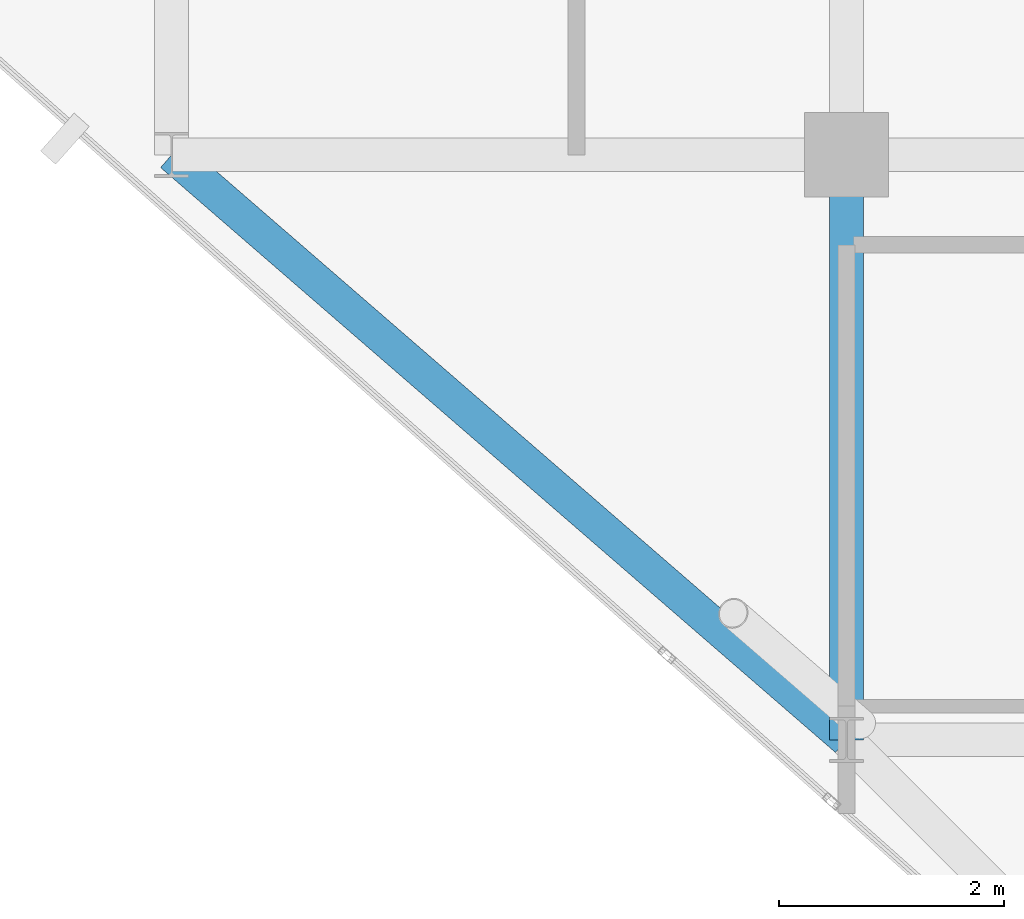
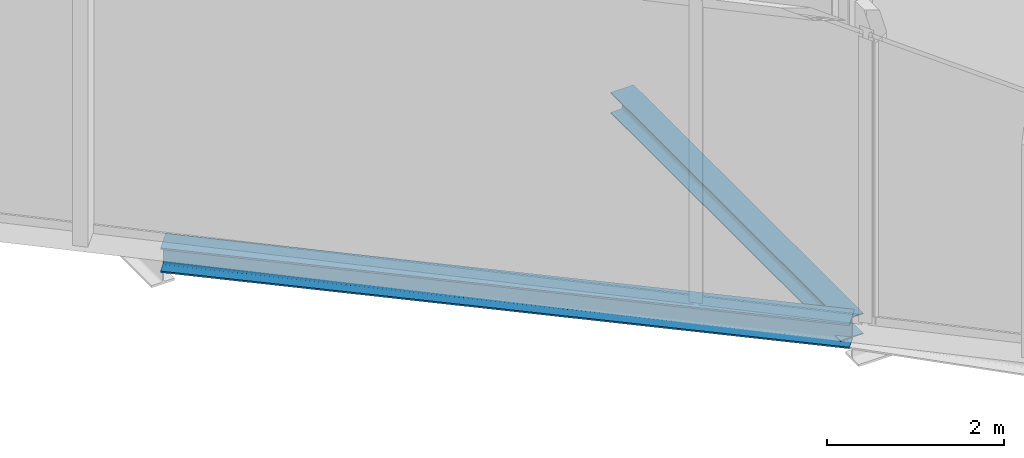
# One storey, part 4 of 24: 2 beams.
"""IFC4 building model written with IfcOpenShell, lengths in metres."""

import ifcopenshell
import ifcopenshell.guid

model = None  # the IFC model being written
_history = None  # IfcOwnerHistory: only IFC2X3 demands one
_inside = {}  # id of a spatial element -> (the spatial element, [elements in it])
_under = {}  # id of a project, library or spatial element -> (it, [spatial elements below it])
_declared = {}  # id of a project -> (the project, [libraries it declares])
_typed = {}  # id of a type object -> (the type object, [elements of that type])
_made_of = {}  # id of a material, layer set ... -> (it, [elements and type objects made of it])


def new_model(schema):
    """Start an empty IFC model of exactly this schema.

    Asked for "IFC4X3", IfcOpenShell would pick the latest addendum, in which some entities
    have other attributes; the version numbers below select the first issue.
    IFC2X3 requires an IfcOwnerHistory on every rooted entity: one is made here for all.
    """
    global model, _history
    if schema == "IFC4X3":
        model = ifcopenshell.file(schema_version=(4, 3, 0, 0))
    else:
        model = ifcopenshell.file(schema=schema)
    _inside.clear()
    _under.clear()
    _declared.clear()
    _typed.clear()
    _made_of.clear()
    _history = None
    if model.schema == "IFC2X3":
        org = make("IfcOrganization", Name="unknown")
        user = make(
            "IfcPersonAndOrganization",
            ThePerson=make("IfcPerson", FamilyName="unknown"),
            TheOrganization=org,
        )
        app = make(
            "IfcApplication",
            ApplicationDeveloper=org,
            Version="unknown",
            ApplicationFullName="unknown",
            ApplicationIdentifier="unknown",
        )
        _history = make(
            "IfcOwnerHistory",
            OwningUser=user,
            OwningApplication=app,
            ChangeAction="ADDED",
            CreationDate=0,
        )
    return model


def make(cls, **values):
    """One entity of the class cls with the attributes given. An attribute that is None is left unset."""
    return model.create_entity(
        cls, **{name: value for name, value in values.items() if value is not None}
    )


def rooted(cls, **values):
    """An entity with a GlobalId (a new one), such as an element, a storey or a relation."""
    return make(cls, GlobalId=ifcopenshell.guid.new(), OwnerHistory=_history, **values)


def si_unit(unit_type, name, prefix=None):
    """IfcSIUnit, for example si_unit("LENGTHUNIT", "METRE", prefix="MILLI")."""
    return make("IfcSIUnit", UnitType=unit_type, Prefix=prefix, Name=name)


def assignment(units):
    """IfcUnitAssignment: the units of a project."""
    return None if units is None else make("IfcUnitAssignment", Units=units)


def point(xyz):
    """IfcCartesianPoint."""
    return None if xyz is None else make("IfcCartesianPoint", Coordinates=xyz)


def direction(xyz):
    """IfcDirection."""
    return None if xyz is None else make("IfcDirection", DirectionRatios=xyz)


def frame(location, z_axis=None, x_axis=None):
    """IfcAxis2Placement3D, a coordinate frame: its origin and axes. An axis left out is left unset."""
    return make(
        "IfcAxis2Placement3D",
        Location=point(location),
        Axis=direction(z_axis),
        RefDirection=direction(x_axis),
    )


def frame_2d(location, x_axis=None):
    """IfcAxis2Placement2D, a coordinate frame in the plane: its origin and x axis."""
    return make(
        "IfcAxis2Placement2D", Location=point(location), RefDirection=direction(x_axis)
    )


def origin():
    """The frame at (0, 0, 0) with its axes left unset."""
    return frame((0.0, 0.0, 0.0))


def origin_2d():
    """The frame at (0, 0) in the plane with its x axis left unset."""
    return frame_2d((0.0, 0.0))


def place(relative_to, where):
    """IfcLocalPlacement: puts the frame where relative to a parent placement (None: the world)."""
    return make(
        "IfcLocalPlacement", PlacementRelTo=relative_to, RelativePlacement=where
    )


def context(
    kind, dimensions, precision=None, world=None, true_north=None, identifier=None
):
    """IfcGeometricRepresentationContext, for example the 3D "Model" context."""
    return make(
        "IfcGeometricRepresentationContext",
        ContextIdentifier=identifier,
        ContextType=kind,
        CoordinateSpaceDimension=dimensions,
        Precision=precision,
        WorldCoordinateSystem=world,
        TrueNorth=true_north,
    )


def subcontext(parent, identifier, kind, view, scale=None):
    """IfcGeometricRepresentationSubContext, for example "Body" below "Model"."""
    return make(
        "IfcGeometricRepresentationSubContext",
        ContextIdentifier=identifier,
        ContextType=kind,
        ParentContext=parent,
        TargetScale=scale,
        TargetView=view,
    )


def project(units=None, contexts=None):
    """IfcProject with its units and contexts."""
    return rooted(
        "IfcProject",
        Name="project",
        RepresentationContexts=contexts,
        UnitsInContext=assignment(units),
    )


def spatial(cls, under=None, at=None, **own):
    """A site, building, storey or space (cls), placed at a placement, below another one or the project."""
    s = rooted(cls, ObjectPlacement=at, **own)
    if under is not None:
        _under.setdefault(under.id(), (under, []))[1].append(s)
    return s


def profile(cls, at=None, kind="AREA", **sizes):
    """A parametric profile (cls). Its sizes go by their IFC names, for example OverallWidth=200.0."""
    return make(cls, ProfileType=kind, Position=at, **sizes)


def i_section(**sizes):
    """IfcIShapeProfileDef."""
    return profile("IfcIShapeProfileDef", **sizes)


def extrude(swept, where, along, depth):
    """IfcExtrudedAreaSolid: the profile swept, set in the frame where, extruded along a direction by depth."""
    return make(
        "IfcExtrudedAreaSolid",
        SweptArea=swept,
        Position=where,
        ExtrudedDirection=direction(along),
        Depth=depth,
    )


def shape(context_of_items, identifier, shape_type, items):
    """IfcShapeRepresentation: the items that make up one representation, for example the "Body"."""
    return make(
        "IfcShapeRepresentation",
        ContextOfItems=context_of_items,
        RepresentationIdentifier=identifier,
        RepresentationType=shape_type,
        Items=items,
    )


def material(Name=None, Category=None):
    """IfcMaterial."""
    return make("IfcMaterial", Name=Name, Category=Category)


def material_profile(
    of_material, cross_section, Name=None, Category=None, Priority=None
):
    """IfcMaterialProfile: a cross section and its material."""
    return make(
        "IfcMaterialProfile",
        Name=Name,
        Material=of_material,
        Profile=cross_section,
        Priority=Priority,
        Category=Category,
    )


def profile_set(profiles, Name=None, composite=None):
    """IfcMaterialProfileSet."""
    return make(
        "IfcMaterialProfileSet",
        Name=Name,
        MaterialProfiles=profiles,
        CompositeProfile=composite,
    )


def made_of(thing, what):
    """Note that an element or type object is made of a material, layer set ...; save() writes the relation."""
    if what is not None:
        _made_of.setdefault(what.id(), (what, []))[1].append(thing)
    return thing


def type_object(cls, material=None, **own):
    """A type object (cls), such as IfcWallType, which elements share."""
    return made_of(rooted(cls, **own), material)


def element(
    cls,
    number,
    at=None,
    inside=None,
    cuts=None,
    type_object=None,
    material=None,
    context=None,
    identifier="Body",
    shape_type=None,
    held_by="IfcProductDefinitionShape",
    body=None,
    shapes=None,
    **own,
):
    """One element of the class cls, such as IfcWall. Its Tag is "e" and its number.

    at: its placement. inside: the storey or other place that contains it. cuts: it is an
    opening in that element (IfcRelVoidsElement). A single representation is given by context,
    identifier, shape_type and body (its items); several are given by shapes. held_by: the class
    of the entity that holds the representations. save() writes the other relations.
    """
    e = rooted(cls, Tag="e%d" % number, ObjectPlacement=at, **own)
    if body is not None:
        shapes = [shape(context, identifier, shape_type, body)]
    if shapes is not None:
        e.Representation = make(held_by, Representations=shapes)
    if inside is not None:
        _inside.setdefault(inside.id(), (inside, []))[1].append(e)
    if cuts is not None:
        rooted(
            "IfcRelVoidsElement", RelatingBuildingElement=cuts, RelatedOpeningElement=e
        )
    if type_object is not None:
        _typed.setdefault(type_object.id(), (type_object, []))[1].append(e)
    return made_of(e, material)


def aggregate(whole, parts):
    """IfcRelAggregates: a whole, such as a stair, and the parts it consists of."""
    return rooted("IfcRelAggregates", RelatingObject=whole, RelatedObjects=parts)


def save(model, path):
    """Write the relations noted so far, then the file.

    IfcRelAggregates (storeys below a building ...), IfcRelContainedInSpatialStructure (elements
    in a storey), IfcRelDefinesByType, IfcRelAssociatesMaterial and IfcRelDeclares: one each for
    every whole, place, type object, material and project.
    """
    for whole, parts in _under.values():
        aggregate(whole, parts)
    for where, things in _inside.values():
        rooted(
            "IfcRelContainedInSpatialStructure",
            RelatedElements=things,
            RelatingStructure=where,
        )
    for kind, things in _typed.values():
        rooted("IfcRelDefinesByType", RelatedObjects=things, RelatingType=kind)
    for what, things in _made_of.values():
        rooted("IfcRelAssociatesMaterial", RelatedObjects=things, RelatingMaterial=what)
    for by, libraries in _declared.values():
        rooted("IfcRelDeclares", RelatingContext=by, RelatedDefinitions=libraries)
    model.write(path)


model = new_model("IFC4")

# Units and contexts
model_context = context("Model", 3, precision=1e-05, world=origin(), true_north=direction((0.0, 1.0)))
body_context = subcontext(model_context, "Body", "Model", "MODEL_VIEW")
ifc_project = project(units=[si_unit("LENGTHUNIT", "METRE"), si_unit("AREAUNIT", "SQUARE_METRE"), si_unit("VOLUMEUNIT", "CUBIC_METRE"), si_unit("PLANEANGLEUNIT", "RADIAN"), si_unit("MASSUNIT", "GRAM", prefix="KILO")], contexts=[model_context])

# Site, building, storey
site_placement = place(None, origin())
site = spatial("IfcSite", under=ifc_project, at=site_placement, CompositionType="ELEMENT")
building_placement = place(site_placement, origin())
building = spatial("IfcBuilding", under=site, at=building_placement, Name="Keshet Zoharim Tower", CompositionType="ELEMENT")
storey_placement = place(building_placement, frame((0.0, 0.0, 242.800048828125)))
storey = spatial("IfcBuildingStorey", under=building, at=storey_placement, Name="L60", CompositionType="ELEMENT", Elevation=242.800048828125)

# Beams
ifc_material = material(Name="Steel S355", Category="steel")
ifc_material_profile_1 = material_profile(ifc_material, i_section(OverallWidth=0.300048828125, OverallDepth=0.2900390625, WebThickness=0.008544921875, FlangeThickness=0.013916015625, FilletRadius=0.027099609375, at=origin_2d()), Name="HEA300")
ifc_profile_set_1 = profile_set([ifc_material_profile_1], Name="Steel S355")
beam_type_1 = type_object("IfcBeamType", Name="BM-PRI-HA300", PredefinedType="BEAM", material=ifc_profile_set_1)
beam_1_placement = place(storey_placement, frame((15.0, 12.699951171875, -0.465087890625), z_axis=(0.0, 1.0, 0.0), x_axis=(-1.0, 0.0, 0.0)))
element("IfcBeam", 1, at=beam_1_placement, inside=storey, type_object=beam_type_1, Name="L60 Primary Girder Y-002", PredefinedType="BEAM", context=body_context, shape_type="SweptSolid", body=[
    extrude(i_section(OverallWidth=0.300048828125, OverallDepth=0.2900390625, WebThickness=0.008544921875, FlangeThickness=0.013916015625, FilletRadius=0.027099609375, at=origin_2d()), origin(), (0.0, 0.0, 1.0), 5.199951171875),
])
ifc_material_profile_2 = material_profile(ifc_material, i_section(OverallWidth=0.300048828125, OverallDepth=0.340087890625, WebThickness=0.011962890625, FlangeThickness=0.021484375, FilletRadius=0.027099609375, at=origin_2d()), Name="HEB340")
ifc_profile_set_2 = profile_set([ifc_material_profile_2], Name="Steel S355")
beam_type_2 = type_object("IfcBeamType", Name="BM-SPN-HB340", PredefinedType="SPANDREL", material=ifc_profile_set_2)
beam_2_placement = place(storey_placement, frame((9.0, 17.89990234375, -0.489990234375), z_axis=(0.755692126483, -0.654927026447, 0.0), x_axis=(0.654927026447, 0.755692126483, 0.0)))
element("IfcBeam", 2, at=beam_2_placement, inside=storey, type_object=beam_type_2, Name="L60 Perimeter Spandrel Beam 02", PredefinedType="SPANDREL", context=body_context, shape_type="SweptSolid", body=[
    extrude(i_section(OverallWidth=0.300048828125, OverallDepth=0.340087890625, WebThickness=0.011962890625, FlangeThickness=0.021484375, FilletRadius=0.027099609375, at=origin_2d()), origin(), (0.0, 0.0, 1.0), 7.939697265625),
])

save(model, "model.ifc")
